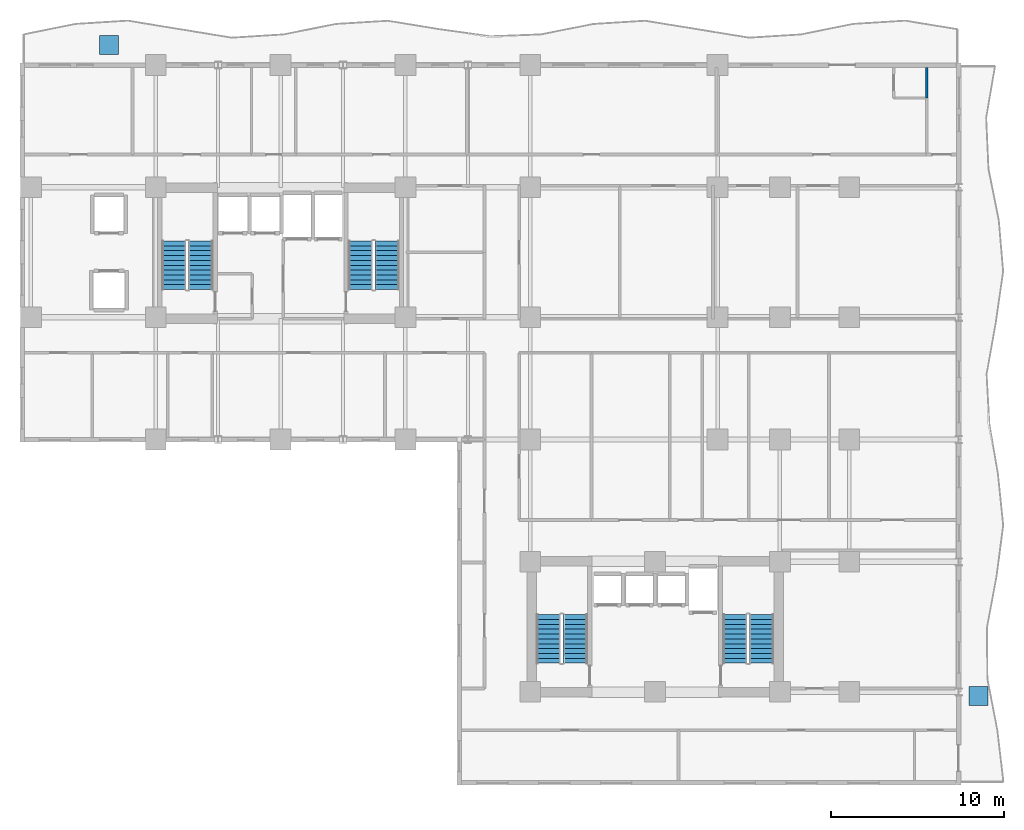
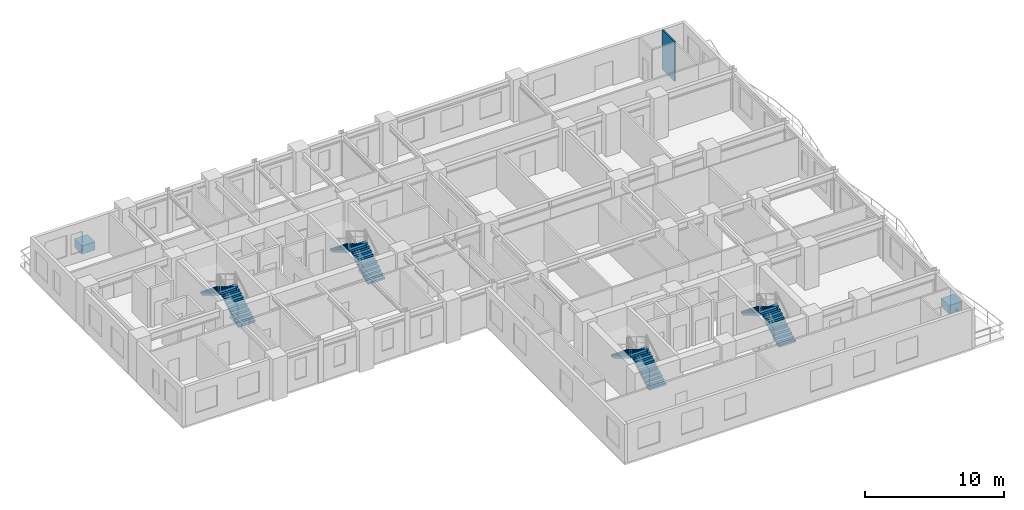
# One storey, part 8 of 11: 8 stair flights, 2 discrete accessories, 1 wall, 4 elements without a shape of their own.
"""IFC4 building model written with IfcOpenShell, lengths in metres."""

from ifc_helpers import new_model, si_unit, direction, frame, frame_2d, origin, origin_2d, place, context, subcontext, project, spatial, polyline, rectangle, outline, extrude, source, transform, mapped, material, layer, layer_set, type_object, element, aggregate, save


model = new_model("IFC4")

# Units and contexts
model_context = context("Model", 3, precision=1e-05, world=origin(), true_north=direction((0.0, 1.0)))
body_context = subcontext(model_context, "Body", "Model", "MODEL_VIEW")
ifc_project = project(units=[si_unit("LENGTHUNIT", "METRE"), si_unit("AREAUNIT", "SQUARE_METRE"), si_unit("VOLUMEUNIT", "CUBIC_METRE"), si_unit("PLANEANGLEUNIT", "RADIAN"), si_unit("MASSUNIT", "GRAM", prefix="KILO")], contexts=[model_context])

# Site, building, storey
site_placement = place(None, origin())
site = spatial("IfcSite", under=ifc_project, at=site_placement, CompositionType="ELEMENT")
building_placement = place(site_placement, origin())
building = spatial("IfcBuilding", under=site, at=building_placement, Name="Kaliganga Portal Commons", CompositionType="ELEMENT")
storey_placement = place(building_placement, frame((0.0, 0.0, 86.0)))
storey = spatial("IfcBuildingStorey", under=building, at=storey_placement, Name="L21", CompositionType="ELEMENT", Elevation=86.0)

# Wall
ifc_material_1 = material(Name="Cement-Board Wet-Room Partition", Category="gypsum")
ifc_layer = layer(ifc_material_1, 0.135009765625)
ifc_layer_set = layer_set([ifc_layer], Name="Cement-Board Wet-Room Partition")
wall_type = type_object("IfcWallType", Name="WL-PART-WET-135", PredefinedType="PARTITIONING", material=ifc_layer_set)
wall_placement = place(storey_placement, frame((58.860107421875, 41.300048828125, 0.0), z_axis=(0.0, 0.0, 1.0), x_axis=(0.0, 1.0, 0.0)))
element("IfcWall", 1, at=wall_placement, inside=storey, type_object=wall_type, Name="Interior Partition L21-002", PredefinedType="PARTITIONING", context=body_context, shape_type="SweptSolid", body=[
    extrude(rectangle(XDim=1.76806640625, YDim=0.135009765625, at=frame_2d((0.884033203125, 0.0))), origin(), (0.0, 0.0, 1.0), 3.429931640625),
])

# Stair, stair flights
ifc_material_2 = material(Name="Concrete C40/50", Category="concrete")
stair_type = type_object("IfcStairType", Name="ST-CORE-DOGLEG", PredefinedType="HALF_TURN_STAIR", material=ifc_material_2)
stair_1_placement = place(storey_placement, origin())
stair_1 = element("IfcStair", 2, at=stair_1_placement, inside=storey, type_object=stair_type, Name="L21 Protected Exit Stair ST-A1", PredefinedType="HALF_TURN_STAIR")
stair_flight_type = type_object("IfcStairFlightType", Name="STF-RC-1400", PredefinedType="STRAIGHT", material=ifc_material_2)
stair_flight_1_placement = place(storey_placement, frame((17.0, 30.25, 0.0), z_axis=(0.0, 0.0, 1.0), x_axis=(0.0, 1.0, 0.0)))
stair_flight_1 = element("IfcStairFlight", 3, at=stair_flight_1_placement, type_object=stair_flight_type, Name="ST-A1 flight 1", NumberOfRisers=11, NumberOfTreads=10, PredefinedType="STRAIGHT", RiserHeight=0.168181818, TreadLength=0.28, context=body_context, shape_type="SweptSolid", body=[
    extrude(outline(polyline([(0.0, 0.0), (0.0, 0.168212890625), (0.280029296875, 0.168212890625), (0.280029296875, 0.33642578125), (0.56005859375, 0.33642578125), (0.56005859375, 0.504638671875), (0.840087890625, 0.504638671875), (0.840087890625, 0.672607421875), (1.1201171875, 0.672607421875), (1.1201171875, 0.8408203125), (1.39990234375, 0.8408203125), (1.39990234375, 1.009033203125), (1.679931640625, 1.009033203125), (1.679931640625, 1.17724609375), (1.9599609375, 1.17724609375), (1.9599609375, 1.345458984375), (2.239990234375, 1.345458984375), (2.239990234375, 1.513671875), (2.52001953125, 1.513671875), (2.52001953125, 1.681884765625), (2.800048828125, 1.681884765625), (2.800048828125, 1.85009765625), (2.800048828125, 1.5068359375), (0.291015625, 0.0), (0.0, 0.0)])), frame((0.0, 0.699951171875, 0.0), z_axis=(0.0, -1.0, 0.0), x_axis=(1.0, 0.0, 0.0)), (0.0, 0.0, 1.0), 1.39990234375),
])
stair_flight_2_placement = place(storey_placement, frame((15.449951171875, 33.050048828125, 1.85009765625), z_axis=(0.0, 0.0, 1.0), x_axis=(0.0, -1.0, 0.0)))
stair_flight_2 = element("IfcStairFlight", 4, at=stair_flight_2_placement, type_object=stair_flight_type, Name="ST-A1 flight 2", NumberOfRisers=11, NumberOfTreads=10, PredefinedType="STRAIGHT", RiserHeight=0.168181818, TreadLength=0.28, context=body_context, shape_type="SweptSolid", body=[
    extrude(outline(polyline([(0.0, 0.0), (0.0, 0.168212890625), (0.280029296875, 0.168212890625), (0.280029296875, 0.33642578125), (0.56005859375, 0.33642578125), (0.56005859375, 0.504638671875), (0.840087890625, 0.504638671875), (0.840087890625, 0.672607421875), (1.1201171875, 0.672607421875), (1.1201171875, 0.8408203125), (1.39990234375, 0.8408203125), (1.39990234375, 1.009033203125), (1.679931640625, 1.009033203125), (1.679931640625, 1.17724609375), (1.9599609375, 1.17724609375), (1.9599609375, 1.345458984375), (2.239990234375, 1.345458984375), (2.239990234375, 1.513671875), (2.52001953125, 1.513671875), (2.52001953125, 1.681884765625), (2.800048828125, 1.681884765625), (2.800048828125, 1.85009765625), (2.800048828125, 1.5068359375), (0.291015625, 0.0), (0.0, 0.0)])), frame((0.0, 0.699951171875, 0.0), z_axis=(0.0, -1.0, 0.0), x_axis=(1.0, 0.0, 0.0)), (0.0, 0.0, 1.0), 1.39990234375),
])
aggregate(stair_1, [stair_flight_1, stair_flight_2])

stair_2_placement = place(storey_placement, origin())
stair_2 = element("IfcStair", 5, at=stair_2_placement, inside=storey, type_object=stair_type, Name="L21 Protected Exit Stair ST-A2", PredefinedType="HALF_TURN_STAIR")
stair_flight_3_placement = place(storey_placement, frame((27.75, 30.25, 0.0), z_axis=(0.0, 0.0, 1.0), x_axis=(0.0, 1.0, 0.0)))
stair_flight_3 = element("IfcStairFlight", 6, at=stair_flight_3_placement, type_object=stair_flight_type, Name="ST-A2 flight 1", NumberOfRisers=11, NumberOfTreads=10, PredefinedType="STRAIGHT", RiserHeight=0.168181818, TreadLength=0.28, context=body_context, shape_type="SweptSolid", body=[
    extrude(outline(polyline([(0.0, 0.0), (0.0, 0.168212890625), (0.280029296875, 0.168212890625), (0.280029296875, 0.33642578125), (0.56005859375, 0.33642578125), (0.56005859375, 0.504638671875), (0.840087890625, 0.504638671875), (0.840087890625, 0.672607421875), (1.1201171875, 0.672607421875), (1.1201171875, 0.8408203125), (1.39990234375, 0.8408203125), (1.39990234375, 1.009033203125), (1.679931640625, 1.009033203125), (1.679931640625, 1.17724609375), (1.9599609375, 1.17724609375), (1.9599609375, 1.345458984375), (2.239990234375, 1.345458984375), (2.239990234375, 1.513671875), (2.52001953125, 1.513671875), (2.52001953125, 1.681884765625), (2.800048828125, 1.681884765625), (2.800048828125, 1.85009765625), (2.800048828125, 1.5068359375), (0.291015625, 0.0), (0.0, 0.0)])), frame((0.0, 0.699951171875, 0.0), z_axis=(0.0, -1.0, 0.0), x_axis=(1.0, 0.0, 0.0)), (0.0, 0.0, 1.0), 1.39990234375),
])
stair_flight_4_placement = place(storey_placement, frame((26.199951171875, 33.050048828125, 1.85009765625), z_axis=(0.0, 0.0, 1.0), x_axis=(0.0, -1.0, 0.0)))
stair_flight_4 = element("IfcStairFlight", 7, at=stair_flight_4_placement, type_object=stair_flight_type, Name="ST-A2 flight 2", NumberOfRisers=11, NumberOfTreads=10, PredefinedType="STRAIGHT", RiserHeight=0.168181818, TreadLength=0.28, context=body_context, shape_type="SweptSolid", body=[
    extrude(outline(polyline([(0.0, 0.0), (0.0, 0.168212890625), (0.280029296875, 0.168212890625), (0.280029296875, 0.33642578125), (0.56005859375, 0.33642578125), (0.56005859375, 0.504638671875), (0.840087890625, 0.504638671875), (0.840087890625, 0.672607421875), (1.1201171875, 0.672607421875), (1.1201171875, 0.8408203125), (1.39990234375, 0.8408203125), (1.39990234375, 1.009033203125), (1.679931640625, 1.009033203125), (1.679931640625, 1.17724609375), (1.9599609375, 1.17724609375), (1.9599609375, 1.345458984375), (2.239990234375, 1.345458984375), (2.239990234375, 1.513671875), (2.52001953125, 1.513671875), (2.52001953125, 1.681884765625), (2.800048828125, 1.681884765625), (2.800048828125, 1.85009765625), (2.800048828125, 1.5068359375), (0.291015625, 0.0), (0.0, 0.0)])), frame((0.0, 0.699951171875, 0.0), z_axis=(0.0, -1.0, 0.0), x_axis=(1.0, 0.0, 0.0)), (0.0, 0.0, 1.0), 1.39990234375),
])
aggregate(stair_2, [stair_flight_3, stair_flight_4])

stair_3_placement = place(storey_placement, origin())
stair_3 = element("IfcStair", 8, at=stair_3_placement, inside=storey, type_object=stair_type, Name="L21 Protected Exit Stair ST-B1", PredefinedType="HALF_TURN_STAIR")
stair_flight_5_placement = place(storey_placement, frame((38.60009765625, 8.699951171875, 0.0), z_axis=(0.0, 0.0, 1.0), x_axis=(0.0, 1.0, 0.0)))
stair_flight_5 = element("IfcStairFlight", 9, at=stair_flight_5_placement, type_object=stair_flight_type, Name="ST-B1 flight 1", NumberOfRisers=11, NumberOfTreads=10, PredefinedType="STRAIGHT", RiserHeight=0.168181818, TreadLength=0.28, context=body_context, shape_type="SweptSolid", body=[
    extrude(outline(polyline([(0.0, 0.0), (0.0, 0.168212890625), (0.280029296875, 0.168212890625), (0.280029296875, 0.33642578125), (0.56005859375, 0.33642578125), (0.56005859375, 0.504638671875), (0.840087890625, 0.504638671875), (0.840087890625, 0.672607421875), (1.1201171875, 0.672607421875), (1.1201171875, 0.8408203125), (1.39990234375, 0.8408203125), (1.39990234375, 1.009033203125), (1.679931640625, 1.009033203125), (1.679931640625, 1.17724609375), (1.9599609375, 1.17724609375), (1.9599609375, 1.345458984375), (2.239990234375, 1.345458984375), (2.239990234375, 1.513671875), (2.52001953125, 1.513671875), (2.52001953125, 1.681884765625), (2.800048828125, 1.681884765625), (2.800048828125, 1.85009765625), (2.800048828125, 1.5068359375), (0.291015625, 0.0), (0.0, 0.0)])), frame((0.0, 0.699951171875, 0.0), z_axis=(0.0, -1.0, 0.0), x_axis=(1.0, 0.0, 0.0)), (0.0, 0.0, 1.0), 1.39990234375),
])
stair_flight_6_placement = place(storey_placement, frame((37.050048828125, 11.5, 1.85009765625), z_axis=(0.0, 0.0, 1.0), x_axis=(0.0, -1.0, 0.0)))
stair_flight_6 = element("IfcStairFlight", 10, at=stair_flight_6_placement, type_object=stair_flight_type, Name="ST-B1 flight 2", NumberOfRisers=11, NumberOfTreads=10, PredefinedType="STRAIGHT", RiserHeight=0.168181818, TreadLength=0.28, context=body_context, shape_type="SweptSolid", body=[
    extrude(outline(polyline([(0.0, 0.0), (0.0, 0.168212890625), (0.280029296875, 0.168212890625), (0.280029296875, 0.33642578125), (0.56005859375, 0.33642578125), (0.56005859375, 0.504638671875), (0.840087890625, 0.504638671875), (0.840087890625, 0.672607421875), (1.1201171875, 0.672607421875), (1.1201171875, 0.8408203125), (1.39990234375, 0.8408203125), (1.39990234375, 1.009033203125), (1.679931640625, 1.009033203125), (1.679931640625, 1.17724609375), (1.9599609375, 1.17724609375), (1.9599609375, 1.345458984375), (2.239990234375, 1.345458984375), (2.239990234375, 1.513671875), (2.52001953125, 1.513671875), (2.52001953125, 1.681884765625), (2.800048828125, 1.681884765625), (2.800048828125, 1.85009765625), (2.800048828125, 1.5068359375), (0.291015625, 0.0), (0.0, 0.0)])), frame((0.0, 0.699951171875, 0.0), z_axis=(0.0, -1.0, 0.0), x_axis=(1.0, 0.0, 0.0)), (0.0, 0.0, 1.0), 1.39990234375),
])
aggregate(stair_3, [stair_flight_5, stair_flight_6])

stair_4_placement = place(storey_placement, origin())
stair_4 = element("IfcStair", 11, at=stair_4_placement, inside=storey, type_object=stair_type, Name="L21 Protected Exit Stair ST-B2", PredefinedType="HALF_TURN_STAIR")
stair_flight_7_placement = place(storey_placement, frame((49.35009765625, 8.699951171875, 0.0), z_axis=(0.0, 0.0, 1.0), x_axis=(0.0, 1.0, 0.0)))
stair_flight_7 = element("IfcStairFlight", 12, at=stair_flight_7_placement, type_object=stair_flight_type, Name="ST-B2 flight 1", NumberOfRisers=11, NumberOfTreads=10, PredefinedType="STRAIGHT", RiserHeight=0.168181818, TreadLength=0.28, context=body_context, shape_type="SweptSolid", body=[
    extrude(outline(polyline([(0.0, 0.0), (0.0, 0.168212890625), (0.280029296875, 0.168212890625), (0.280029296875, 0.33642578125), (0.56005859375, 0.33642578125), (0.56005859375, 0.504638671875), (0.840087890625, 0.504638671875), (0.840087890625, 0.672607421875), (1.1201171875, 0.672607421875), (1.1201171875, 0.8408203125), (1.39990234375, 0.8408203125), (1.39990234375, 1.009033203125), (1.679931640625, 1.009033203125), (1.679931640625, 1.17724609375), (1.9599609375, 1.17724609375), (1.9599609375, 1.345458984375), (2.239990234375, 1.345458984375), (2.239990234375, 1.513671875), (2.52001953125, 1.513671875), (2.52001953125, 1.681884765625), (2.800048828125, 1.681884765625), (2.800048828125, 1.85009765625), (2.800048828125, 1.5068359375), (0.291015625, 0.0), (0.0, 0.0)])), frame((0.0, 0.699951171875, 0.0), z_axis=(0.0, -1.0, 0.0), x_axis=(1.0, 0.0, 0.0)), (0.0, 0.0, 1.0), 1.39990234375),
])
stair_flight_8_placement = place(storey_placement, frame((47.800048828125, 11.5, 1.85009765625), z_axis=(0.0, 0.0, 1.0), x_axis=(0.0, -1.0, 0.0)))
stair_flight_8 = element("IfcStairFlight", 13, at=stair_flight_8_placement, type_object=stair_flight_type, Name="ST-B2 flight 2", NumberOfRisers=11, NumberOfTreads=10, PredefinedType="STRAIGHT", RiserHeight=0.168181818, TreadLength=0.28, context=body_context, shape_type="SweptSolid", body=[
    extrude(outline(polyline([(0.0, 0.0), (0.0, 0.168212890625), (0.280029296875, 0.168212890625), (0.280029296875, 0.33642578125), (0.56005859375, 0.33642578125), (0.56005859375, 0.504638671875), (0.840087890625, 0.504638671875), (0.840087890625, 0.672607421875), (1.1201171875, 0.672607421875), (1.1201171875, 0.8408203125), (1.39990234375, 0.8408203125), (1.39990234375, 1.009033203125), (1.679931640625, 1.009033203125), (1.679931640625, 1.17724609375), (1.9599609375, 1.17724609375), (1.9599609375, 1.345458984375), (2.239990234375, 1.345458984375), (2.239990234375, 1.513671875), (2.52001953125, 1.513671875), (2.52001953125, 1.681884765625), (2.800048828125, 1.681884765625), (2.800048828125, 1.85009765625), (2.800048828125, 1.5068359375), (0.291015625, 0.0), (0.0, 0.0)])), frame((0.0, 0.699951171875, 0.0), z_axis=(0.0, -1.0, 0.0), x_axis=(1.0, 0.0, 0.0)), (0.0, 0.0, 1.0), 1.39990234375),
])
aggregate(stair_4, [stair_flight_7, stair_flight_8])

# Discrete accessories
ifc_material_3 = material(Name="Precast concrete C40/50", Category="concrete")
discrete_accessory_type = type_object("IfcDiscreteAccessoryType", Name="DAC-PLANTER-RC", PredefinedType="USERDEFINED", material=ifc_material_3)
shared_shape = source(origin(), body_context, "Body", "SweptSolid", [
    extrude(rectangle(XDim=1.10009765625, YDim=1.10009765625, at=origin_2d()), origin(), (0.0, 0.0, 1.0), 0.719970703125),
])
for number, where, z_axis, x_axis, name in (
    (14, (11.699951171875, 44.35009765625, 0.0), (0.0, 0.0, 1.0), (1.0, 0.0, 0.0), "Structural Tree Planter L21 balc_north"),
    (15, (61.85009765625, 6.800048828125, 0.0), (0.0, 0.0, 1.0), (1.0, 0.0, 0.0), "Structural Tree Planter L21 balc_east"),
):
    element("IfcDiscreteAccessory", number, at=place(storey_placement, frame(where, z_axis=z_axis, x_axis=x_axis)), inside=storey, type_object=discrete_accessory_type, Name=name, ObjectType="PLANTER", PredefinedType="USERDEFINED", context=body_context, shape_type="MappedRepresentation", body=[
        mapped(shared_shape, transform((0.0, 0.0, 0.0), x_axis=(1.0, 0.0, 0.0), y_axis=(0.0, 1.0, 0.0), z_axis=(0.0, 0.0, 1.0), scale=1.0)),
    ])

save(model, "model.ifc")
